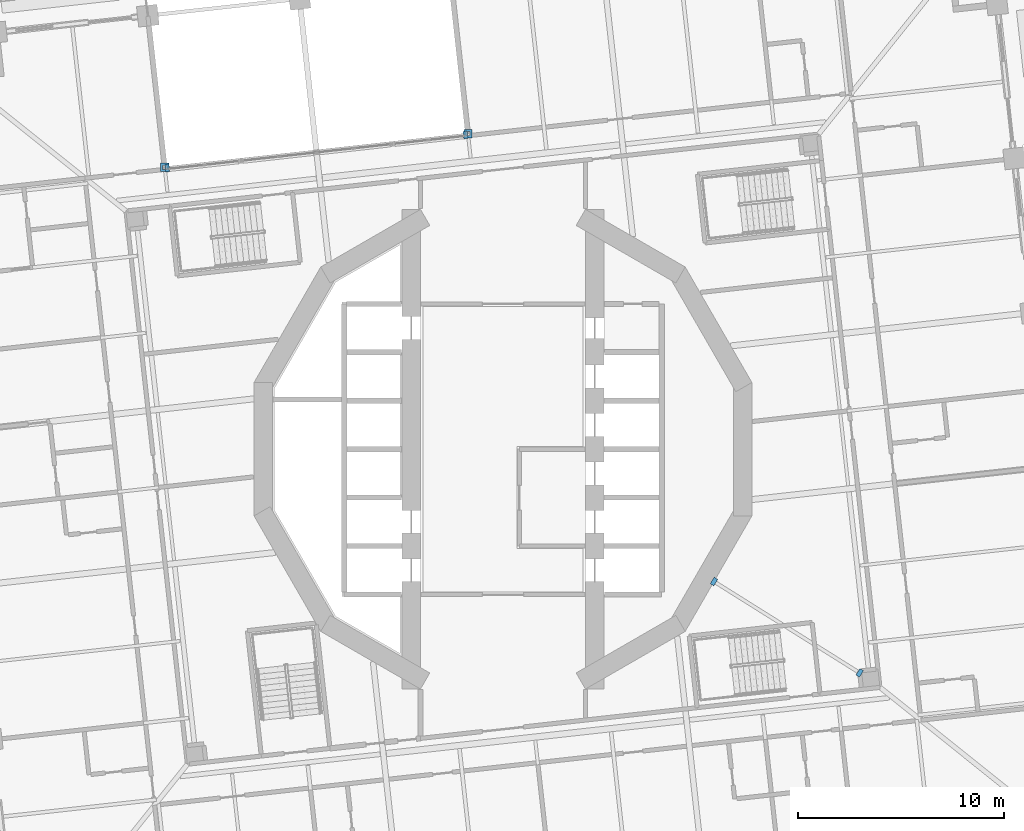
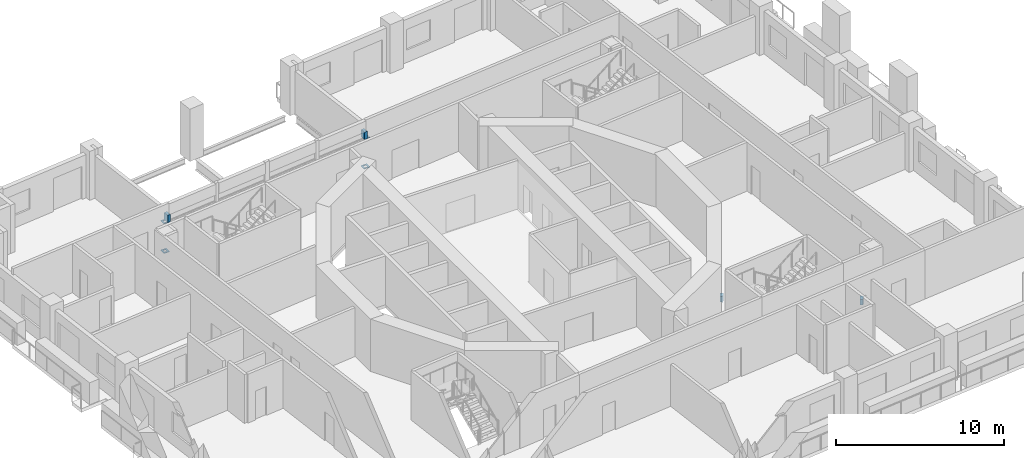
# One storey, part 14 of 21: 8 discrete accessories.
"""IFC4 building model written with IfcOpenShell, lengths in metres."""

from ifc_helpers import new_model, si_unit, direction, frame, origin, place, context, subcontext, project, spatial, polyline, outline, extrude, material, layer, layer_set, type_object, element, save


model = new_model("IFC4")

# Units and contexts
model_context = context("Model", 3, precision=1e-05, world=origin(), true_north=direction((0.0, 1.0)))
body_context = subcontext(model_context, "Body", "Model", "MODEL_VIEW")
ifc_project = project(units=[si_unit("LENGTHUNIT", "METRE"), si_unit("AREAUNIT", "SQUARE_METRE"), si_unit("VOLUMEUNIT", "CUBIC_METRE"), si_unit("PLANEANGLEUNIT", "RADIAN"), si_unit("MASSUNIT", "GRAM", prefix="KILO")], contexts=[model_context])

# Site, building, storey
site_placement = place(None, origin())
site = spatial("IfcSite", under=ifc_project, at=site_placement, CompositionType="ELEMENT")
building_placement = place(site_placement, origin())
building = spatial("IfcBuilding", under=site, at=building_placement, Name="Cantera Rosa Tower", CompositionType="ELEMENT")
storey_placement = place(building_placement, frame((0.0, 0.0, 61.5)))
storey = spatial("IfcBuildingStorey", under=building, at=storey_placement, Name="L12", CompositionType="ELEMENT", Elevation=61.5)

# Discrete accessories
ifc_material = material(Name="Steel ASTM A992 (Fy 345 MPa)", Category="steel")
ifc_layer = layer(ifc_material, 0.0400390625)
ifc_layer_set = layer_set([ifc_layer], Name="STEEL BEARING PLATE 40")
discrete_accessory_type = type_object("IfcDiscreteAccessoryType", Name="STEEL BEARING PLATE 40", PredefinedType="ANCHORPLATE", material=ifc_layer_set)
discrete_accessory_1_placement = place(storey_placement, frame((0.0, 0.0, -0.72802734375)))
element("IfcDiscreteAccessory", 1, at=discrete_accessory_1_placement, inside=storey, type_object=discrete_accessory_type, Name="BEARING PLATE PG-Z1-01 end 1 L12", PredefinedType="ANCHORPLATE", context=body_context, shape_type="SweptSolid", body=[
    extrude(outline(polyline([(17.12060546875, -10.952392578125), (17.2900390625, -11.05859375), (17.484619140625, -10.74853515625), (17.315185546875, -10.642333984375), (17.12060546875, -10.952392578125)])), origin(), (0.0, 0.0, 1.0), 0.427978515625),
])
discrete_accessory_2_placement = place(storey_placement, frame((0.0, 0.0, -0.72802734375)))
element("IfcDiscreteAccessory", 2, at=discrete_accessory_2_placement, inside=storey, type_object=discrete_accessory_type, Name="BEARING PLATE PG-Z1-01 end 2 L12", PredefinedType="ANCHORPLATE", context=body_context, shape_type="SweptSolid", body=[
    extrude(outline(polyline([(10.41796875, -6.317138671875), (10.248291015625, -6.210693359375), (10.053955078125, -6.52099609375), (10.223388671875, -6.627197265625), (10.41796875, -6.317138671875)])), origin(), (0.0, 0.0, 1.0), 0.427978515625),
])
for number, where, name in (
    (3, (0.0, 0.0, 0.0), "POST PLATE L12-1F"),
    (4, (0.0, 0.0, 2.14794921875), "POST PLATE L12-1T"),
):
    element("IfcDiscreteAccessory", number, at=place(storey_placement, frame(where)), inside=storey, type_object=discrete_accessory_type, Name=name, PredefinedType="ANCHORPLATE", context=body_context, shape_type="SweptSolid", body=[
        extrude(outline(polyline([(-1.898681640625, 15.10595703125), (-1.498779296875, 15.10595703125), (-1.498779296875, 15.506103515625), (-1.898681640625, 15.506103515625), (-1.898681640625, 15.10595703125)]), holes=[polyline([(-1.798828125, 15.2060546875), (-1.598876953125, 15.2060546875), (-1.598876953125, 15.406005859375), (-1.798828125, 15.406005859375), (-1.798828125, 15.2060546875)])]), origin(), (0.0, 0.0, 1.0), 0.0400390625),
    ])
for number, where, name in (
    (5, (0.0, 0.0, 0.0), "POST PLATE L12-2F"),
    (6, (0.0, 0.0, 2.14794921875), "POST PLATE L12-2T"),
):
    element("IfcDiscreteAccessory", number, at=place(storey_placement, frame(where)), inside=storey, type_object=discrete_accessory_type, Name=name, PredefinedType="ANCHORPLATE", context=body_context, shape_type="SweptSolid", body=[
        extrude(outline(polyline([(-16.6083984375, 13.473388671875), (-16.20849609375, 13.473388671875), (-16.20849609375, 13.873291015625), (-16.6083984375, 13.873291015625), (-16.6083984375, 13.473388671875)]), holes=[polyline([(-16.508544921875, 13.573486328125), (-16.30859375, 13.573486328125), (-16.30859375, 13.7734375), (-16.508544921875, 13.7734375), (-16.508544921875, 13.573486328125)])]), origin(), (0.0, 0.0, 1.0), 0.0400390625),
    ])
discrete_accessory_3_placement = place(storey_placement, frame((0.0, 0.0, 2.18798828125)))
element("IfcDiscreteAccessory", 7, at=discrete_accessory_3_placement, inside=storey, type_object=discrete_accessory_type, Name="LINTEL PLATE L12-1", PredefinedType="ANCHORPLATE", context=body_context, shape_type="SweptSolid", body=[
    extrude(outline(polyline([(-1.896728515625, 15.049560546875), (-1.697998046875, 15.07177734375), (-1.73828125, 15.435302734375), (-1.93701171875, 15.413330078125), (-1.896728515625, 15.049560546875)])), origin(), (0.0, 0.0, 1.0), 0.528076171875),
])
discrete_accessory_4_placement = place(storey_placement, frame((0.0, 0.0, 2.18798828125)))
element("IfcDiscreteAccessory", 8, at=discrete_accessory_4_placement, inside=storey, type_object=discrete_accessory_type, Name="LINTEL PLATE L12-2", PredefinedType="ANCHORPLATE", context=body_context, shape_type="SweptSolid", body=[
    extrude(outline(polyline([(-16.199462890625, 13.830322265625), (-16.398193359375, 13.808349609375), (-16.35791015625, 13.444580078125), (-16.1591796875, 13.466552734375), (-16.199462890625, 13.830322265625)])), origin(), (0.0, 0.0, 1.0), 0.528076171875),
])

save(model, "model.ifc")
